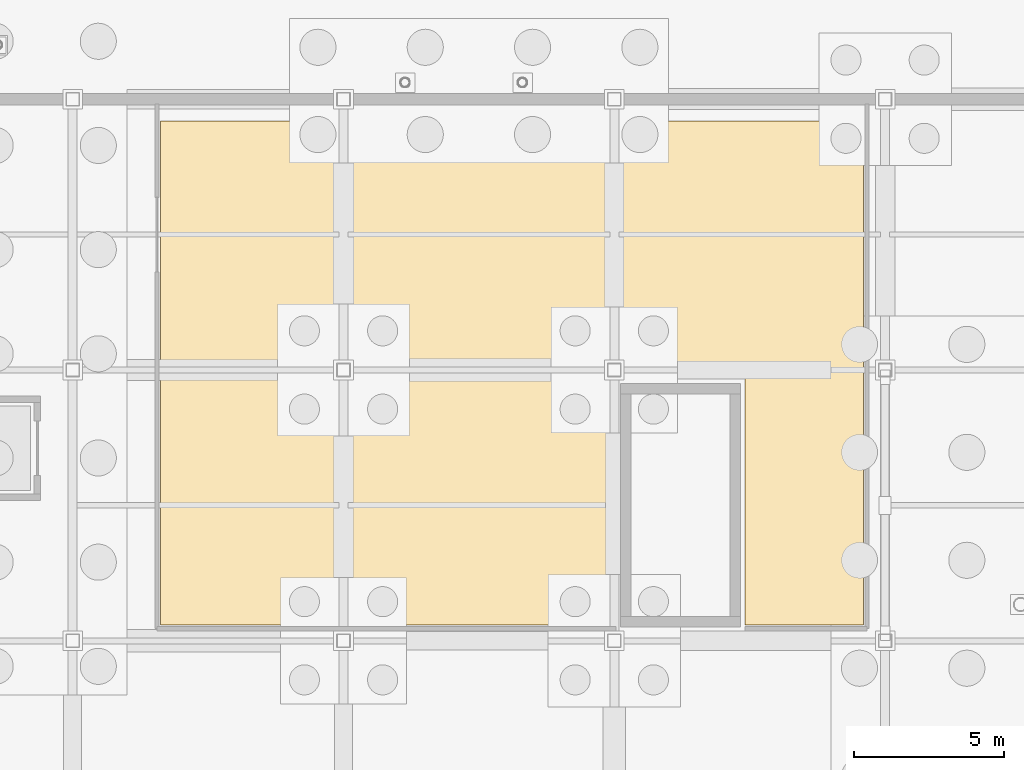
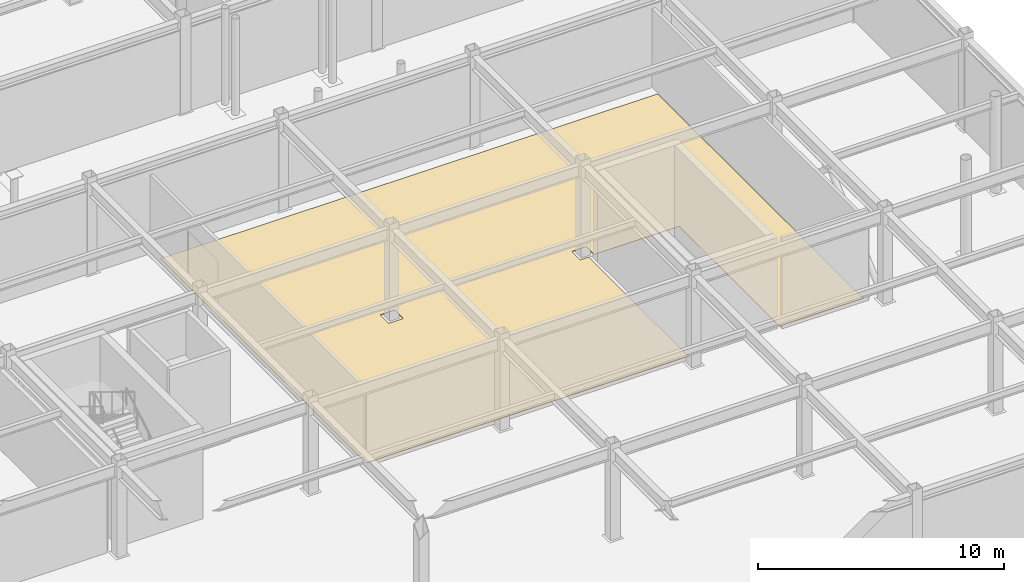
# One storey, part 68 of 74: 1 covering.
"""IFC4 building model written with IfcOpenShell, lengths in metres."""

from ifc_helpers import new_model, si_unit, direction, frame, origin, place, context, subcontext, project, spatial, polyline, outline, extrude, material, layer, layer_set, type_object, element, save


model = new_model("IFC4")

# Units and contexts
model_context = context("Model", 3, precision=1e-05, world=origin(), true_north=direction((0.0, 1.0)))
body_context = subcontext(model_context, "Body", "Model", "MODEL_VIEW")
ifc_project = project(units=[si_unit("LENGTHUNIT", "METRE"), si_unit("AREAUNIT", "SQUARE_METRE"), si_unit("VOLUMEUNIT", "CUBIC_METRE"), si_unit("PLANEANGLEUNIT", "RADIAN"), si_unit("MASSUNIT", "GRAM", prefix="KILO")], contexts=[model_context])

# Site, building, storey
site_placement = place(None, origin())
site = spatial("IfcSite", under=ifc_project, at=site_placement, CompositionType="ELEMENT")
building_placement = place(site_placement, origin())
building = spatial("IfcBuilding", under=site, at=building_placement, Name="Suzunagisa Mobility Hub", CompositionType="ELEMENT")
storey_placement = place(building_placement, frame((0.0, 0.0, -4.800048828125)))
storey = spatial("IfcBuildingStorey", under=building, at=storey_placement, Name="B1", CompositionType="ELEMENT", Elevation=-4.800048828125)

# Covering
ifc_material = material(Name="Polished Aggregate Terrazzo Finish")
ifc_layer = layer(ifc_material, 0.02001953125)
ifc_layer_set = layer_set([ifc_layer], Name="Polished Aggregate Terrazzo Finish")
covering_type = type_object("IfcCoveringType", Name="Polished Terrazzo Heavy-Traffic Flooring FLR-01", PredefinedType="FLOORING", material=ifc_layer_set)
covering_placement = place(storey_placement, origin())
element("IfcCovering", 1, at=covering_placement, inside=storey, type_object=covering_type, Name="B1 Heavy Fleet Spare Parts Warehouse B1 Terrazzo Flooring", PredefinedType="FLOORING", context=body_context, shape_type="SweptSolid", body=[
    extrude(outline(polyline([(166.340087890625, 18.52001953125), (166.340087890625, 26.699951171875), (162.344970703125, 26.699951171875), (162.344970703125, 27.344970703125), (161.655029296875, 27.344970703125), (161.655029296875, 26.655029296875), (162.06005859375, 26.655029296875), (162.06005859375, 18.52001953125), (146.919921875, 18.52001953125), (146.919921875, 35.280029296875), (170.280029296875, 35.280029296875), (170.280029296875, 18.52001953125), (166.340087890625, 18.52001953125)]), holes=[polyline([(152.655029296875, 27.344970703125), (152.655029296875, 26.655029296875), (153.344970703125, 26.655029296875), (153.344970703125, 27.344970703125), (152.655029296875, 27.344970703125)])]), origin(), (0.0, 0.0, 1.0), 0.02001953125),
])

save(model, "model.ifc")
